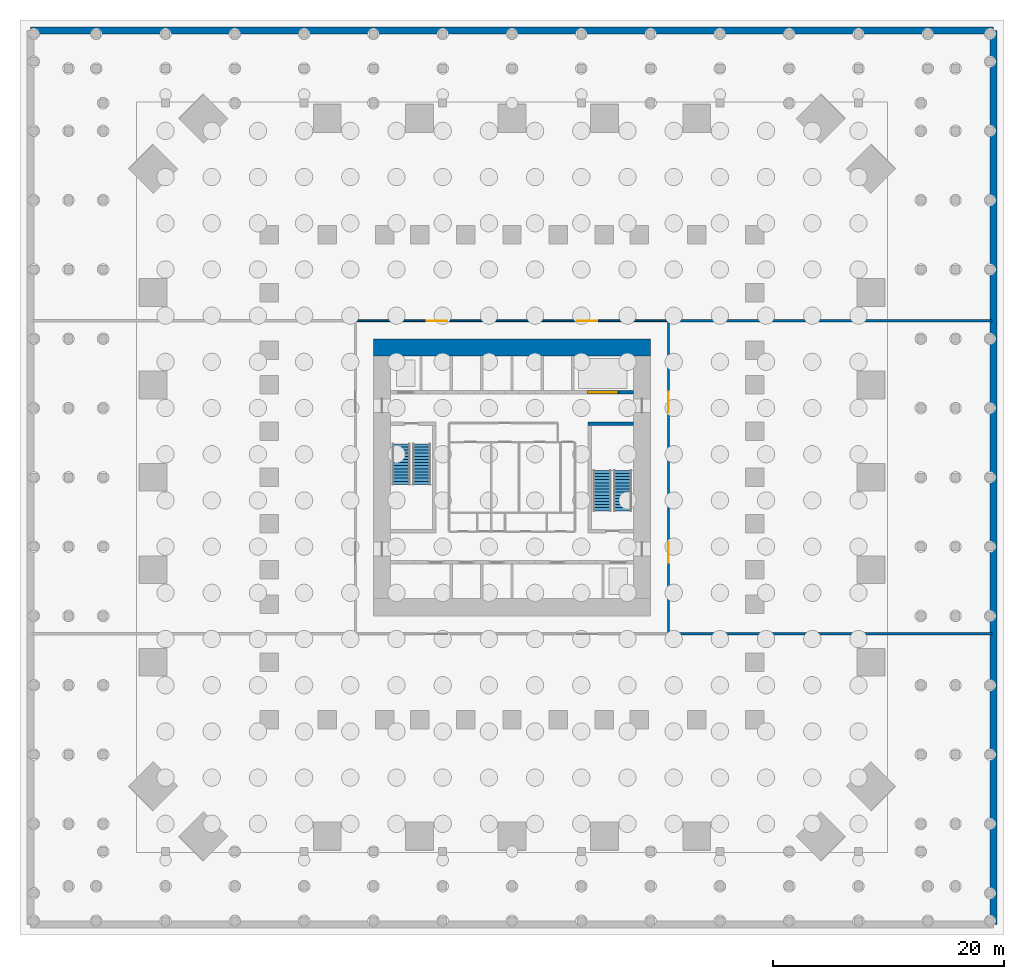
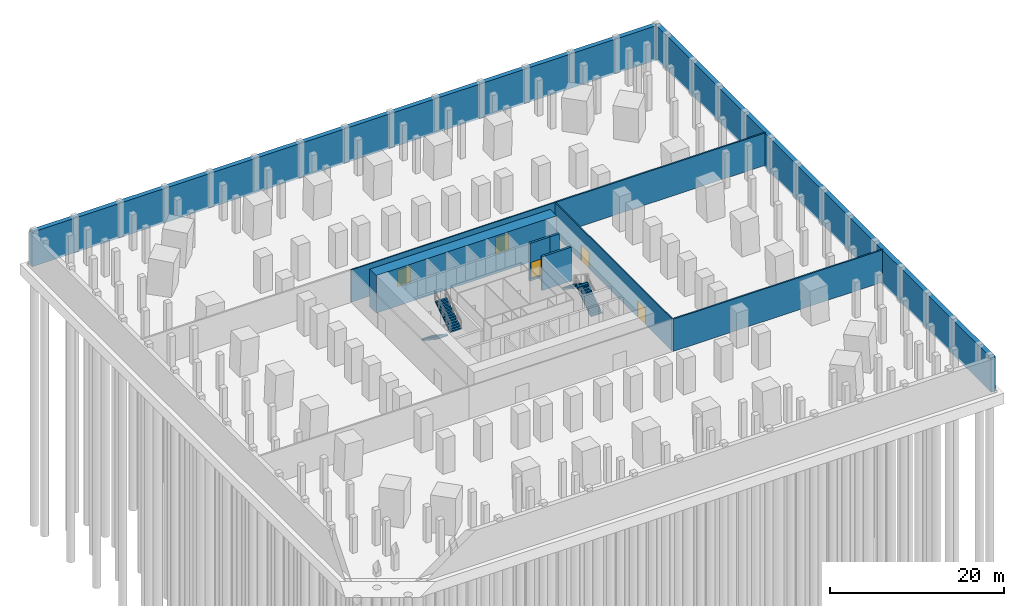
# One storey, part 6 of 8: 10 walls, 5 doors, 4 stair flights, 5 openings, 2 elements without a shape of their own.
"""IFC4 building model written with IfcOpenShell, lengths in metres."""

from ifc_helpers import new_model, si_unit, direction, frame, frame_2d, origin, place, context, subcontext, project, spatial, polyline, rectangle, outline, extrude, material, layer, layer_set, type_object, element, fill, aggregate, save


model = new_model("IFC4")

# Units and contexts
model_context = context("Model", 3, precision=1e-05, world=origin(), true_north=direction((0.0, 1.0)))
body_context = subcontext(model_context, "Body", "Model", "MODEL_VIEW")
ifc_project = project(units=[si_unit("LENGTHUNIT", "METRE"), si_unit("AREAUNIT", "SQUARE_METRE"), si_unit("VOLUMEUNIT", "CUBIC_METRE"), si_unit("PLANEANGLEUNIT", "RADIAN"), si_unit("MASSUNIT", "GRAM", prefix="KILO")], contexts=[model_context])

# Site, building, storey
site_placement = place(None, origin())
site = spatial("IfcSite", under=ifc_project, at=site_placement, CompositionType="ELEMENT")
building_placement = place(site_placement, origin())
building = spatial("IfcBuilding", under=site, at=building_placement, Name="Peilmerk Tower", CompositionType="ELEMENT")
storey_placement = place(building_placement, frame((0.0, 0.0, -5.0)))
storey = spatial("IfcBuildingStorey", under=building, at=storey_placement, Name="B-01", CompositionType="ELEMENT", Elevation=-5.0)

# Wall, openings, doors
ifc_material_1 = material(Name="Calcium silicate block", Category="masonry")
ifc_layer_1 = layer(ifc_material_1, 0.14990234375)
ifc_layer_set_1 = layer_set([ifc_layer_1], Name="Calcium silicate block")
wall_type_1 = type_object("IfcWallType", Name="IW1 150 corridor partition, EI 60", PredefinedType="PARTITIONING", material=ifc_layer_set_1)
wall_1_placement = place(storey_placement, frame((-13.625, 13.550048828125, 0.0), z_axis=(0.0, 0.0, 1.0), x_axis=(1.0, 0.0, 0.0)))
wall_1 = element("IfcWall", 1, at=wall_1_placement, inside=storey, type_object=wall_type_1, Name="Corridor wall N B-01", PredefinedType="PARTITIONING", context=body_context, shape_type="SweptSolid", body=[
    extrude(rectangle(XDim=27.25, YDim=0.14990234375, at=frame_2d((13.625, 0.0))), origin(), (0.0, 0.0, 1.0), 4.550048828125),
])
opening_1_placement = place(wall_1_placement, frame((6.22509765625, 0.0, 0.0)))
opening_1 = element("IfcOpeningElement", 2, at=opening_1_placement, cuts=wall_1, Name="Opening D2", PredefinedType="OPENING", context=body_context, shape_type="SweptSolid", body=[
    extrude(rectangle(XDim=1.800048828125, YDim=2.300048828125, at=frame_2d((0.89990234375, 1.14990234375))), frame((0.0, 0.0849609375, 0.0), z_axis=(0.0, -1.0, 0.0), x_axis=(1.0, 0.0, 0.0)), (0.0, 0.0, 1.0), 0.169921875),
])
opening_2_placement = place(wall_1_placement, frame((19.22509765625, 0.0, 0.0)))
opening_2 = element("IfcOpeningElement", 3, at=opening_2_placement, cuts=wall_1, Name="Opening D2", PredefinedType="OPENING", context=body_context, shape_type="SweptSolid", body=[
    extrude(rectangle(XDim=1.800048828125, YDim=2.300048828125, at=frame_2d((0.89990234375, 1.14990234375))), frame((0.0, 0.0849609375, 0.0), z_axis=(0.0, -1.0, 0.0), x_axis=(1.0, 0.0, 0.0)), (0.0, 0.0, 1.0), 0.169921875),
])
ifc_material_2 = material(Name="Steel door in steel frame", Category="steel")
door_type_1 = type_object("IfcDoorType", Name="D2 1800x2300 double door, EI2 60", OperationType="DOUBLE_DOOR_DOUBLE_SWING", PredefinedType="DOOR", material=ifc_material_2)
door_1_placement = place(opening_1_placement, origin())
door_1 = element("IfcDoor", 4, at=door_1_placement, inside=storey, type_object=door_type_1, Name="Door Generator hall B-01", OperationType="DOUBLE_DOOR_DOUBLE_SWING", OverallHeight=2.300048828125, OverallWidth=1.800048828125, PredefinedType="DOOR", context=body_context, shape_type="SweptSolid", body=[
    extrude(rectangle(XDim=1.800048828125, YDim=2.300048828125, at=frame_2d((0.89990234375, 1.14990234375))), frame((0.0, 0.02490234375, 0.0), z_axis=(0.0, -1.0, 0.0), x_axis=(1.0, 0.0, 0.0)), (0.0, 0.0, 1.0), 0.050048828125),
])
fill(opening_1, door_1)
door_2_placement = place(opening_2_placement, origin())
door_2 = element("IfcDoor", 5, at=door_2_placement, inside=storey, type_object=door_type_1, Name="Door Generator hall B-01", OperationType="DOUBLE_DOOR_DOUBLE_SWING", OverallHeight=2.300048828125, OverallWidth=1.800048828125, PredefinedType="DOOR", context=body_context, shape_type="SweptSolid", body=[
    extrude(rectangle(XDim=1.800048828125, YDim=2.300048828125, at=frame_2d((0.89990234375, 1.14990234375))), frame((0.0, 0.02490234375, 0.0), z_axis=(0.0, -1.0, 0.0), x_axis=(1.0, 0.0, 0.0)), (0.0, 0.0, 1.0), 0.050048828125),
])
fill(opening_2, door_2)

wall_2_placement = place(storey_placement, frame((13.550048828125, -13.47509765625, 0.0), z_axis=(0.0, 0.0, 1.0), x_axis=(0.0, 1.0, 0.0)))
wall_2 = element("IfcWall", 6, at=wall_2_placement, inside=storey, type_object=wall_type_1, Name="Corridor wall E B-01", PredefinedType="PARTITIONING", context=body_context, shape_type="SweptSolid", body=[
    extrude(rectangle(XDim=26.9501953125, YDim=0.14990234375, at=frame_2d((13.47509765625, 0.0))), origin(), (0.0, 0.0, 1.0), 4.550048828125),
])
opening_3_placement = place(wall_2_placement, frame((6.074951171875, 0.0, 0.0)))
opening_3 = element("IfcOpeningElement", 7, at=opening_3_placement, cuts=wall_2, Name="Opening D2", PredefinedType="OPENING", context=body_context, shape_type="SweptSolid", body=[
    extrude(rectangle(XDim=1.800048828125, YDim=2.300048828125, at=frame_2d((0.89990234375, 1.14990234375))), frame((0.0, 0.0849609375, 0.0), z_axis=(0.0, -1.0, 0.0), x_axis=(1.0, 0.0, 0.0)), (0.0, 0.0, 1.0), 0.169921875),
])
opening_4_placement = place(wall_2_placement, frame((19.074951171875, 0.0, 0.0)))
opening_4 = element("IfcOpeningElement", 8, at=opening_4_placement, cuts=wall_2, Name="Opening D2", PredefinedType="OPENING", context=body_context, shape_type="SweptSolid", body=[
    extrude(rectangle(XDim=1.800048828125, YDim=2.300048828125, at=frame_2d((0.89990234375, 1.14990234375))), frame((0.0, 0.0849609375, 0.0), z_axis=(0.0, -1.0, 0.0), x_axis=(1.0, 0.0, 0.0)), (0.0, 0.0, 1.0), 0.169921875),
])
door_3_placement = place(opening_3_placement, frame((1.800048828125, 0.0, 0.0), z_axis=(0.0, 0.0, 1.0), x_axis=(-1.0, 0.0, 0.0)))
door_3 = element("IfcDoor", 9, at=door_3_placement, inside=storey, type_object=door_type_1, Name="Door Transformer room B-01", OperationType="DOUBLE_DOOR_DOUBLE_SWING", OverallHeight=2.300048828125, OverallWidth=1.800048828125, PredefinedType="DOOR", context=body_context, shape_type="SweptSolid", body=[
    extrude(rectangle(XDim=1.800048828125, YDim=2.300048828125, at=frame_2d((0.89990234375, 1.14990234375))), frame((0.0, 0.02490234375, 0.0), z_axis=(0.0, -1.0, 0.0), x_axis=(1.0, 0.0, 0.0)), (0.0, 0.0, 1.0), 0.050048828125),
])
fill(opening_3, door_3)
door_4_placement = place(opening_4_placement, frame((1.800048828125, 0.0, 0.0), z_axis=(0.0, 0.0, 1.0), x_axis=(-1.0, 0.0, 0.0)))
door_4 = element("IfcDoor", 10, at=door_4_placement, inside=storey, type_object=door_type_1, Name="Door Transformer room B-01", OperationType="DOUBLE_DOOR_DOUBLE_SWING", OverallHeight=2.300048828125, OverallWidth=1.800048828125, PredefinedType="DOOR", context=body_context, shape_type="SweptSolid", body=[
    extrude(rectangle(XDim=1.800048828125, YDim=2.300048828125, at=frame_2d((0.89990234375, 1.14990234375))), frame((0.0, 0.02490234375, 0.0), z_axis=(0.0, -1.0, 0.0), x_axis=(1.0, 0.0, 0.0)), (0.0, 0.0, 1.0), 0.050048828125),
])
fill(opening_4, door_4)

# Walls
ifc_layer_2 = layer(ifc_material_1, 0.199951171875)
ifc_layer_set_2 = layer_set([ifc_layer_2], Name="Calcium silicate block")
wall_type_2 = type_object("IfcWallType", Name="IW2 200 room separating wall, EI 120", PredefinedType="PARTITIONING", material=ifc_layer_set_2)
for number, where, z_axis, x_axis, name in (
    (11, (13.625, 13.550048828125, 0.0), (0.0, 0.0, 1.0), (1.0, 0.0, 0.0), "Room separating wall NE B-01"),
    (12, (41.550048828125, -13.550048828125, 0.0), (0.0, 0.0, 1.0), (-1.0, 0.0, 0.0), "Room separating wall SE B-01"),
):
    element("IfcWall", number, at=place(storey_placement, frame(where, z_axis=z_axis, x_axis=x_axis)), inside=storey, type_object=wall_type_2, Name=name, PredefinedType="PARTITIONING", context=body_context, shape_type="SweptSolid", body=[
        extrude(rectangle(XDim=27.925048828125, YDim=0.199951171875, at=frame_2d((13.96240234375, 0.0))), origin(), (0.0, 0.0, 1.0), 4.550048828125),
    ])
ifc_material_3 = material(Name="Concrete C35/45", Category="concrete")
ifc_layer_3 = layer(ifc_material_3, 0.300048828125)
ifc_layer_set_3 = layer_set([ifc_layer_3], Name="Concrete C35/45")
wall_type_3 = type_object("IfcWallType", Name="IW3 300 concrete stair enclosure wall, EI 120", PredefinedType="SOLIDWALL", material=ifc_layer_set_3)
wall_3_placement = place(storey_placement, frame((6.60009765625, 4.64990234375, 0.0), z_axis=(0.0, 0.0, 1.0), x_axis=(1.0, 0.0, 0.0)))
element("IfcWall", 13, at=wall_3_placement, inside=storey, type_object=wall_type_3, Name="Stair 2 enclosure B-01", PredefinedType="SOLIDWALL", context=body_context, shape_type="SweptSolid", body=[
    extrude(rectangle(XDim=3.89990234375, YDim=0.300048828125, at=frame_2d((1.949951171875, 0.0))), origin(), (0.0, 0.0, 1.0), 4.75),
])
ifc_material_4 = material(Name="Concrete C55/67", Category="concrete")
ifc_layer_4 = layer(ifc_material_4, 0.60009765625)
ifc_layer_set_4 = layer_set([ifc_layer_4], Name="Concrete C55/67")
wall_type_4 = type_object("IfcWallType", Name="RW1 600 basement retaining wall", PredefinedType="SOLIDWALL", material=ifc_layer_set_4)
wall_4_placement = place(storey_placement, frame((41.699951171875, -38.699951171875, -0.300048828125), z_axis=(0.0, 0.0, 1.0), x_axis=(0.0, 1.0, 0.0)))
element("IfcWall", 14, at=wall_4_placement, inside=storey, type_object=wall_type_4, Name="Basement retaining wall 2", PredefinedType="SOLIDWALL", context=body_context, shape_type="SweptSolid", body=[
    extrude(rectangle(XDim=77.39990234375, YDim=0.60009765625, at=frame_2d((38.699951171875, 0.0))), origin(), (0.0, 0.0, 1.0), 4.85009765625),
])
wall_5_placement = place(storey_placement, frame((41.699951171875, 38.699951171875, -0.300048828125), z_axis=(0.0, 0.0, 1.0), x_axis=(-1.0, 0.0, 0.0)))
element("IfcWall", 15, at=wall_5_placement, inside=storey, type_object=wall_type_4, Name="Basement retaining wall 3", PredefinedType="SOLIDWALL", context=body_context, shape_type="SweptSolid", body=[
    extrude(rectangle(XDim=83.39990234375, YDim=0.60009765625, at=frame_2d((41.699951171875, 0.0))), origin(), (0.0, 0.0, 1.0), 4.85009765625),
])

# Wall, opening, door
ifc_layer_5 = layer(ifc_material_1, 0.300048828125)
ifc_layer_set_5 = layer_set([ifc_layer_5], Name="Calcium silicate block")
wall_type_5 = type_object("IfcWallType", Name="SH2 300 lift landing door panel, EI 120", PredefinedType="PARTITIONING", material=ifc_layer_set_5)
wall_6_placement = place(storey_placement, frame((6.52490234375, 7.35009765625, -0.300048828125), z_axis=(0.0, 0.0, 1.0), x_axis=(1.0, 0.0, 0.0)))
wall_6 = element("IfcWall", 16, at=wall_6_placement, inside=storey, type_object=wall_type_5, Name="Lift door panel N GL1 B-01", PredefinedType="PARTITIONING", context=body_context, shape_type="SweptSolid", body=[
    extrude(rectangle(XDim=2.7001953125, YDim=0.300048828125, at=frame_2d((1.35009765625, 0.0))), origin(), (0.0, 0.0, 1.0), 5.300048828125),
])
opening_5_placement = place(wall_6_placement, frame((0.14990234375, 0.0, 0.300048828125)))
opening_5 = element("IfcOpeningElement", 17, at=opening_5_placement, cuts=wall_6, Name="Opening LD3", PredefinedType="OPENING", context=body_context, shape_type="SweptSolid", body=[
    extrude(rectangle(XDim=2.39990234375, YDim=2.300048828125, at=frame_2d((1.199951171875, 1.14990234375))), frame((0.0, 0.159912109375, 0.0), z_axis=(0.0, -1.0, 0.0), x_axis=(1.0, 0.0, 0.0)), (0.0, 0.0, 1.0), 0.320068359375),
])
ifc_material_5 = material(Name="Stainless steel landing door", Category="steel")
door_type_2 = type_object("IfcDoorType", Name="LD3 2400x2300 lift landing door, sliding, EI2 60", OperationType="SLIDING_TO_LEFT", PredefinedType="DOOR", material=ifc_material_5)
door_5_placement = place(opening_5_placement, frame((2.39990234375, 0.0, 0.0), z_axis=(0.0, 0.0, 1.0), x_axis=(-1.0, 0.0, 0.0)))
door_5 = element("IfcDoor", 18, at=door_5_placement, inside=storey, type_object=door_type_2, Name="Lift landing door GL1 B-01", OperationType="SLIDING_TO_LEFT", OverallHeight=2.300048828125, OverallWidth=2.39990234375, PredefinedType="DOOR", context=body_context, shape_type="SweptSolid", body=[
    extrude(rectangle(XDim=2.39990234375, YDim=2.300048828125, at=frame_2d((1.199951171875, 1.14990234375))), frame((0.0, 0.02490234375, 0.0), z_axis=(0.0, -1.0, 0.0), x_axis=(1.0, 0.0, 0.0)), (0.0, 0.0, 1.0), 0.050048828125),
])
fill(opening_5, door_5)

# Walls
ifc_layer_6 = layer(ifc_material_4, 1.5)
ifc_layer_set_6 = layer_set([ifc_layer_6], Name="Concrete C55/67")
wall_type_6 = type_object("IfcWallType", Name="SW1 1500 core wall", PredefinedType="SHEAR", material=ifc_layer_set_6)
wall_7_placement = place(storey_placement, frame((-12.0, 11.25, -0.300048828125), z_axis=(0.0, 0.0, 1.0), x_axis=(1.0, 0.0, 0.0)))
element("IfcWall", 19, at=wall_7_placement, inside=storey, type_object=wall_type_6, Name="Core wall N B-01", PredefinedType="SHEAR", context=body_context, shape_type="SweptSolid", body=[
    extrude(rectangle(XDim=24.0, YDim=1.5, at=frame_2d((12.0, 0.0))), origin(), (0.0, 0.0, 1.0), 5.300048828125),
])
ifc_layer_7 = layer(ifc_material_4, 0.300048828125)
ifc_layer_set_7 = layer_set([ifc_layer_7], Name="Concrete C55/67")
wall_type_7 = type_object("IfcWallType", Name="SW2 300 lift bank pier", PredefinedType="SHEAR", material=ifc_layer_set_7)
wall_8_placement = place(storey_placement, frame((9.22509765625, 7.35009765625, -0.300048828125), z_axis=(0.0, 0.0, 1.0), x_axis=(1.0, 0.0, 0.0)))
element("IfcWall", 20, at=wall_8_placement, inside=storey, type_object=wall_type_7, Name="Lift bank pier N B-01", PredefinedType="SHEAR", context=body_context, shape_type="SweptSolid", body=[
    extrude(rectangle(XDim=1.27490234375, YDim=0.300048828125, at=frame_2d((0.637451171875, 0.0))), origin(), (0.0, 0.0, 1.0), 5.300048828125),
])

# Stair, stair flights
ifc_material_6 = material(Name="Precast concrete C45/55", Category="concrete")
stair_type_1 = type_object("IfcStairType", Name="ST1 28 risers of 178.6", PredefinedType="HALF_TURN_STAIR", material=ifc_material_6)
stair_1_placement = place(storey_placement, origin())
stair_1 = element("IfcStair", 21, at=stair_1_placement, inside=storey, type_object=stair_type_1, Name="Stair 1 B-01 to L00", PredefinedType="HALF_TURN_STAIR")
stair_flight_type = type_object("IfcStairFlightType", Name="SF14 flight, 14 risers of 178.6", PredefinedType="STRAIGHT", material=ifc_material_6)
stair_flight_1_placement = place(storey_placement, frame((-9.60009765625, 2.89990234375, 0.0), z_axis=(0.0, 0.0, 1.0), x_axis=(0.0, -1.0, 0.0)))
stair_flight_1 = element("IfcStairFlight", 22, at=stair_flight_1_placement, type_object=stair_flight_type, Name="ST1 flight 1", NumberOfRisers=14, NumberOfTreads=13, PredefinedType="STRAIGHT", RiserHeight=0.178571429, TreadLength=0.27, context=body_context, shape_type="SweptSolid", body=[
    extrude(outline(polyline([(0.0, 0.0), (0.0, 0.178466796875), (0.27001953125, 0.178466796875), (0.27001953125, 0.357177734375), (0.5400390625, 0.357177734375), (0.5400390625, 0.53564453125), (0.81005859375, 0.53564453125), (0.81005859375, 0.71435546875), (1.080078125, 0.71435546875), (1.080078125, 0.892822265625), (1.35009765625, 0.892822265625), (1.35009765625, 1.071533203125), (1.6201171875, 1.071533203125), (1.6201171875, 1.25), (1.889892578125, 1.25), (1.889892578125, 1.428466796875), (2.159912109375, 1.428466796875), (2.159912109375, 1.607177734375), (2.429931640625, 1.607177734375), (2.429931640625, 1.78564453125), (2.699951171875, 1.78564453125), (2.699951171875, 1.96435546875), (2.969970703125, 1.96435546875), (2.969970703125, 2.142822265625), (3.239990234375, 2.142822265625), (3.239990234375, 2.321533203125), (3.510009765625, 2.321533203125), (3.510009765625, 2.5), (3.510009765625, 2.1416015625), (0.271728515625, 0.0), (0.0, 0.0)])), frame((0.0, 0.75, 0.0), z_axis=(0.0, -1.0, 0.0), x_axis=(1.0, 0.0, 0.0)), (0.0, 0.0, 1.0), 1.5),
])
stair_flight_2_placement = place(storey_placement, frame((-7.800048828125, -0.610107421875, 2.5), z_axis=(0.0, 0.0, 1.0), x_axis=(0.0, 1.0, 0.0)))
stair_flight_2 = element("IfcStairFlight", 23, at=stair_flight_2_placement, type_object=stair_flight_type, Name="ST1 flight 2", NumberOfRisers=14, NumberOfTreads=13, PredefinedType="STRAIGHT", RiserHeight=0.178571429, TreadLength=0.27, context=body_context, shape_type="SweptSolid", body=[
    extrude(outline(polyline([(0.0, 0.0), (0.0, 0.178466796875), (0.27001953125, 0.178466796875), (0.27001953125, 0.357177734375), (0.5400390625, 0.357177734375), (0.5400390625, 0.53564453125), (0.81005859375, 0.53564453125), (0.81005859375, 0.71435546875), (1.080078125, 0.71435546875), (1.080078125, 0.892822265625), (1.35009765625, 0.892822265625), (1.35009765625, 1.071533203125), (1.6201171875, 1.071533203125), (1.6201171875, 1.25), (1.889892578125, 1.25), (1.889892578125, 1.428466796875), (2.159912109375, 1.428466796875), (2.159912109375, 1.607177734375), (2.429931640625, 1.607177734375), (2.429931640625, 1.78564453125), (2.699951171875, 1.78564453125), (2.699951171875, 1.96435546875), (2.969970703125, 1.96435546875), (2.969970703125, 2.142822265625), (3.239990234375, 2.142822265625), (3.239990234375, 2.321533203125), (3.510009765625, 2.321533203125), (3.510009765625, 2.5), (3.510009765625, 2.1416015625), (0.271728515625, 0.0), (0.0, 0.0)])), frame((0.0, 0.75, 0.0), z_axis=(0.0, -1.0, 0.0), x_axis=(1.0, 0.0, 0.0)), (0.0, 0.0, 1.0), 1.5),
])
aggregate(stair_1, [stair_flight_1, stair_flight_2])

stair_type_2 = type_object("IfcStairType", Name="ST2 28 risers of 178.6", PredefinedType="HALF_TURN_STAIR", material=ifc_material_6)
stair_2_placement = place(storey_placement, origin())
stair_2 = element("IfcStair", 24, at=stair_2_placement, inside=storey, type_object=stair_type_2, Name="Stair 2 B-01 to L00", PredefinedType="HALF_TURN_STAIR")
stair_flight_3_placement = place(storey_placement, frame((9.60009765625, -2.89990234375, 0.0), z_axis=(0.0, 0.0, 1.0), x_axis=(0.0, 1.0, 0.0)))
stair_flight_3 = element("IfcStairFlight", 25, at=stair_flight_3_placement, type_object=stair_flight_type, Name="ST2 flight 1", NumberOfRisers=14, NumberOfTreads=13, PredefinedType="STRAIGHT", RiserHeight=0.178571429, TreadLength=0.27, context=body_context, shape_type="SweptSolid", body=[
    extrude(outline(polyline([(0.0, 0.0), (0.0, 0.178466796875), (0.27001953125, 0.178466796875), (0.27001953125, 0.357177734375), (0.5400390625, 0.357177734375), (0.5400390625, 0.53564453125), (0.81005859375, 0.53564453125), (0.81005859375, 0.71435546875), (1.080078125, 0.71435546875), (1.080078125, 0.892822265625), (1.35009765625, 0.892822265625), (1.35009765625, 1.071533203125), (1.6201171875, 1.071533203125), (1.6201171875, 1.25), (1.889892578125, 1.25), (1.889892578125, 1.428466796875), (2.159912109375, 1.428466796875), (2.159912109375, 1.607177734375), (2.429931640625, 1.607177734375), (2.429931640625, 1.78564453125), (2.699951171875, 1.78564453125), (2.699951171875, 1.96435546875), (2.969970703125, 1.96435546875), (2.969970703125, 2.142822265625), (3.239990234375, 2.142822265625), (3.239990234375, 2.321533203125), (3.510009765625, 2.321533203125), (3.510009765625, 2.5), (3.510009765625, 2.1416015625), (0.271728515625, 0.0), (0.0, 0.0)])), frame((0.0, 0.75, 0.0), z_axis=(0.0, -1.0, 0.0), x_axis=(1.0, 0.0, 0.0)), (0.0, 0.0, 1.0), 1.5),
])
stair_flight_4_placement = place(storey_placement, frame((7.800048828125, 0.610107421875, 2.5), z_axis=(0.0, 0.0, 1.0), x_axis=(0.0, -1.0, 0.0)))
stair_flight_4 = element("IfcStairFlight", 26, at=stair_flight_4_placement, type_object=stair_flight_type, Name="ST2 flight 2", NumberOfRisers=14, NumberOfTreads=13, PredefinedType="STRAIGHT", RiserHeight=0.178571429, TreadLength=0.27, context=body_context, shape_type="SweptSolid", body=[
    extrude(outline(polyline([(0.0, 0.0), (0.0, 0.178466796875), (0.27001953125, 0.178466796875), (0.27001953125, 0.357177734375), (0.5400390625, 0.357177734375), (0.5400390625, 0.53564453125), (0.81005859375, 0.53564453125), (0.81005859375, 0.71435546875), (1.080078125, 0.71435546875), (1.080078125, 0.892822265625), (1.35009765625, 0.892822265625), (1.35009765625, 1.071533203125), (1.6201171875, 1.071533203125), (1.6201171875, 1.25), (1.889892578125, 1.25), (1.889892578125, 1.428466796875), (2.159912109375, 1.428466796875), (2.159912109375, 1.607177734375), (2.429931640625, 1.607177734375), (2.429931640625, 1.78564453125), (2.699951171875, 1.78564453125), (2.699951171875, 1.96435546875), (2.969970703125, 1.96435546875), (2.969970703125, 2.142822265625), (3.239990234375, 2.142822265625), (3.239990234375, 2.321533203125), (3.510009765625, 2.321533203125), (3.510009765625, 2.5), (3.510009765625, 2.1416015625), (0.271728515625, 0.0), (0.0, 0.0)])), frame((0.0, 0.75, 0.0), z_axis=(0.0, -1.0, 0.0), x_axis=(1.0, 0.0, 0.0)), (0.0, 0.0, 1.0), 1.5),
])
aggregate(stair_2, [stair_flight_3, stair_flight_4])

save(model, "model.ifc")
